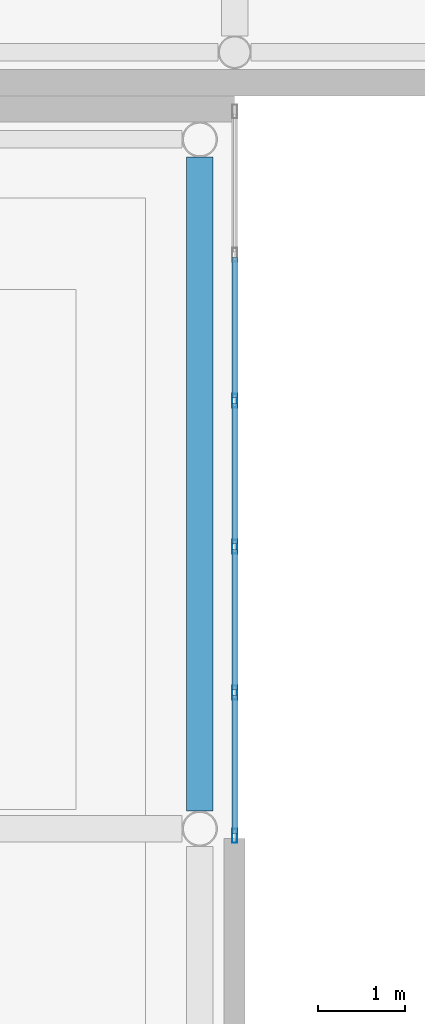
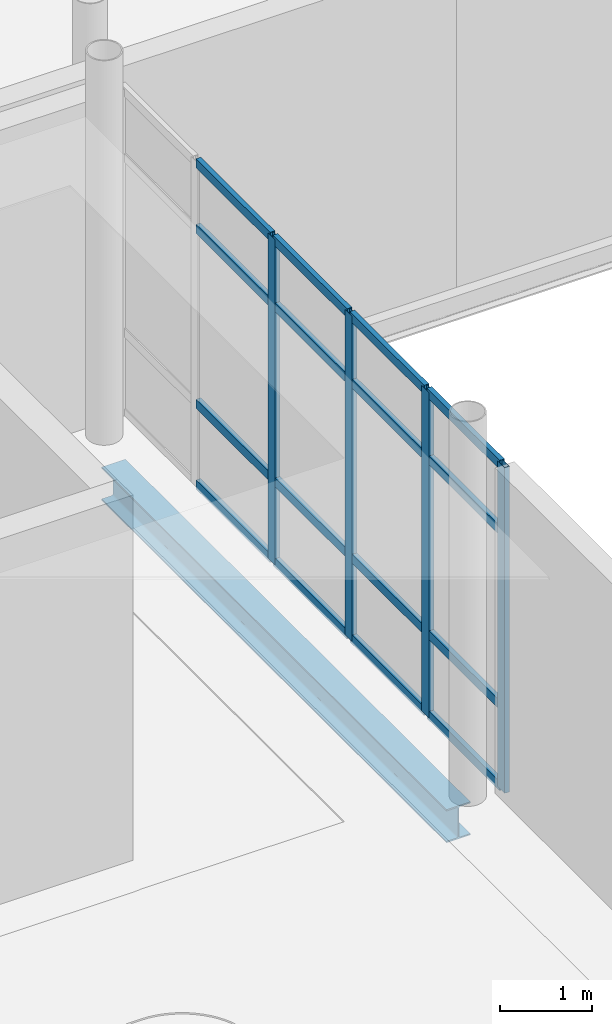
# One storey, part 42 of 103: 20 members, 1 beam, 1 element without a shape of its own.
"""IFC4 building model written with IfcOpenShell, lengths in metres."""

from ifc_helpers import new_model, si_unit, direction, frame, origin, origin_2d, place, context, subcontext, project, spatial, hollow_rectangle, i_section, extrude, material, layer, layer_set, material_profile, profile_set, type_object, element, aggregate, save


model = new_model("IFC4")

# Units and contexts
model_context = context("Model", 3, precision=1e-05, world=origin(), true_north=direction((0.0, 1.0)))
body_context = subcontext(model_context, "Body", "Model", "MODEL_VIEW")
ifc_project = project(units=[si_unit("LENGTHUNIT", "METRE"), si_unit("AREAUNIT", "SQUARE_METRE"), si_unit("VOLUMEUNIT", "CUBIC_METRE"), si_unit("PLANEANGLEUNIT", "RADIAN"), si_unit("MASSUNIT", "GRAM", prefix="KILO"), si_unit("THERMODYNAMICTEMPERATUREUNIT", "KELVIN")], contexts=[model_context])

# Site, building, storey
site_placement = place(None, origin())
site = spatial("IfcSite", under=ifc_project, at=site_placement, CompositionType="ELEMENT")
building_placement = place(site_placement, origin())
building = spatial("IfcBuilding", under=site, at=building_placement, Name="Lustrewick Department Store", CompositionType="ELEMENT")
storey_placement = place(building_placement, frame((0.0, 0.0, 16.5)))
storey = spatial("IfcBuildingStorey", under=building, at=storey_placement, Name="L04", CompositionType="ELEMENT", Elevation=16.5)

# Curtain wall, members
ifc_material_1 = material(Name="Thermally broken aluminium 6063-T5", Category="aluminium")
ifc_layer = layer(ifc_material_1, 0.159912109375, Name="Thermally broken aluminium 6063-T5")
ifc_layer_set = layer_set([ifc_layer], Name="Thermally broken aluminium 6063-T5")
curtain_wall_type = type_object("IfcCurtainWallType", Name="CW13", PredefinedType="NOTDEFINED", material=ifc_layer_set)
curtain_wall_placement = place(storey_placement, origin())
curtain_wall = element("IfcCurtainWall", 1, at=curtain_wall_placement, inside=storey, type_object=curtain_wall_type, Name="L04 V3 Curtain Wall CW13", PredefinedType="NOTDEFINED")
ifc_material_profile_1 = material_profile(ifc_material_1, hollow_rectangle(XDim=0.06005859375, YDim=0.159912109375, WallThickness=0.00390625, at=origin_2d()), Name="ALU-M 60x160x4")
ifc_profile_set_1 = profile_set([ifc_material_profile_1], Name="Thermally broken aluminium 6063-T5")
member_type_1 = type_object("IfcMemberType", Name="CW13-M1", PredefinedType="MULLION", material=ifc_profile_set_1)
member_1_placement = place(storey_placement, frame((151.199951171875, 41.91748046875, 0.0), z_axis=(0.0, 0.0, 1.0), x_axis=(-1.0, 0.0, 0.0)))
member_1 = element("IfcMember", 2, at=member_1_placement, type_object=member_type_1, Name="CW13 mullion 1", PredefinedType="MULLION", context=body_context, shape_type="SweptSolid", body=[
    extrude(hollow_rectangle(XDim=0.06005859375, YDim=0.159912109375, WallThickness=0.00390625, at=origin_2d()), origin(), (0.0, 0.0, 1.0), 4.320068359375),
])
member_2_placement = place(storey_placement, frame((151.199951171875, 43.56005859375, 0.0), z_axis=(0.0, 0.0, 1.0), x_axis=(-1.0, 0.0, 0.0)))
member_2 = element("IfcMember", 3, at=member_2_placement, type_object=member_type_1, Name="CW13 mullion 2", PredefinedType="MULLION", context=body_context, shape_type="SweptSolid", body=[
    extrude(hollow_rectangle(XDim=0.06005859375, YDim=0.159912109375, WallThickness=0.00390625, at=origin_2d()), origin(), (0.0, 0.0, 1.0), 4.320068359375),
])
member_3_placement = place(storey_placement, frame((151.199951171875, 45.232421875, 0.0), z_axis=(0.0, 0.0, 1.0), x_axis=(-1.0, 0.0, 0.0)))
member_3 = element("IfcMember", 4, at=member_3_placement, type_object=member_type_1, Name="CW13 mullion 3", PredefinedType="MULLION", context=body_context, shape_type="SweptSolid", body=[
    extrude(hollow_rectangle(XDim=0.06005859375, YDim=0.159912109375, WallThickness=0.00390625, at=origin_2d()), origin(), (0.0, 0.0, 1.0), 4.320068359375),
])
member_4_placement = place(storey_placement, frame((151.199951171875, 46.905029296875, 0.0), z_axis=(0.0, 0.0, 1.0), x_axis=(-1.0, 0.0, 0.0)))
member_4 = element("IfcMember", 5, at=member_4_placement, type_object=member_type_1, Name="CW13 mullion 4", PredefinedType="MULLION", context=body_context, shape_type="SweptSolid", body=[
    extrude(hollow_rectangle(XDim=0.06005859375, YDim=0.159912109375, WallThickness=0.00390625, at=origin_2d()), origin(), (0.0, 0.0, 1.0), 4.320068359375),
])
ifc_material_profile_2 = material_profile(ifc_material_1, hollow_rectangle(XDim=0.06005859375, YDim=0.1201171875, WallThickness=0.00341796875, at=origin_2d()), Name="ALU-T 60x120x3.5")
ifc_profile_set_2 = profile_set([ifc_material_profile_2], Name="Thermally broken aluminium 6063-T5")
member_type_2 = type_object("IfcMemberType", Name="CW13-T1", PredefinedType="USERDEFINED", material=ifc_profile_set_2)
member_5_placement = place(storey_placement, frame((151.199951171875, 41.947509765625, 0.030029296875), z_axis=(0.0, 1.0, 0.0), x_axis=(-1.0, 0.0, 0.0)))
member_5 = element("IfcMember", 6, at=member_5_placement, type_object=member_type_2, Name="CW13 transom 1.1", ObjectType="TRANSOM", PredefinedType="USERDEFINED", context=body_context, shape_type="SweptSolid", body=[
    extrude(hollow_rectangle(XDim=0.06005859375, YDim=0.1201171875, WallThickness=0.00341796875, at=origin_2d()), origin(), (0.0, 0.0, 1.0), 1.58251953125),
])
member_6_placement = place(storey_placement, frame((151.199951171875, 41.947509765625, 1.10009765625), z_axis=(0.0, 1.0, 0.0), x_axis=(-1.0, 0.0, 0.0)))
member_6 = element("IfcMember", 7, at=member_6_placement, type_object=member_type_2, Name="CW13 transom 1.2", ObjectType="TRANSOM", PredefinedType="USERDEFINED", context=body_context, shape_type="SweptSolid", body=[
    extrude(hollow_rectangle(XDim=0.06005859375, YDim=0.1201171875, WallThickness=0.00341796875, at=origin_2d()), origin(), (0.0, 0.0, 1.0), 1.58251953125),
])
member_7_placement = place(storey_placement, frame((151.199951171875, 41.947509765625, 3.419921875), z_axis=(0.0, 1.0, 0.0), x_axis=(-1.0, 0.0, 0.0)))
member_7 = element("IfcMember", 8, at=member_7_placement, type_object=member_type_2, Name="CW13 transom 1.3", ObjectType="TRANSOM", PredefinedType="USERDEFINED", context=body_context, shape_type="SweptSolid", body=[
    extrude(hollow_rectangle(XDim=0.06005859375, YDim=0.1201171875, WallThickness=0.00341796875, at=origin_2d()), origin(), (0.0, 0.0, 1.0), 1.58251953125),
])
member_8_placement = place(storey_placement, frame((151.199951171875, 41.947509765625, 4.2900390625), z_axis=(0.0, 1.0, 0.0), x_axis=(-1.0, 0.0, 0.0)))
member_8 = element("IfcMember", 9, at=member_8_placement, type_object=member_type_2, Name="CW13 transom 1.4", ObjectType="TRANSOM", PredefinedType="USERDEFINED", context=body_context, shape_type="SweptSolid", body=[
    extrude(hollow_rectangle(XDim=0.06005859375, YDim=0.1201171875, WallThickness=0.00341796875, at=origin_2d()), origin(), (0.0, 0.0, 1.0), 1.58251953125),
])
member_9_placement = place(storey_placement, frame((151.199951171875, 43.590087890625, 0.030029296875), z_axis=(0.0, 1.0, 0.0), x_axis=(-1.0, 0.0, 0.0)))
member_9 = element("IfcMember", 10, at=member_9_placement, type_object=member_type_2, Name="CW13 transom 2.1", ObjectType="TRANSOM", PredefinedType="USERDEFINED", context=body_context, shape_type="SweptSolid", body=[
    extrude(hollow_rectangle(XDim=0.06005859375, YDim=0.1201171875, WallThickness=0.00341796875, at=origin_2d()), origin(), (0.0, 0.0, 1.0), 1.6123046875),
])
member_10_placement = place(storey_placement, frame((151.199951171875, 43.590087890625, 1.10009765625), z_axis=(0.0, 1.0, 0.0), x_axis=(-1.0, 0.0, 0.0)))
member_10 = element("IfcMember", 11, at=member_10_placement, type_object=member_type_2, Name="CW13 transom 2.2", ObjectType="TRANSOM", PredefinedType="USERDEFINED", context=body_context, shape_type="SweptSolid", body=[
    extrude(hollow_rectangle(XDim=0.06005859375, YDim=0.1201171875, WallThickness=0.00341796875, at=origin_2d()), origin(), (0.0, 0.0, 1.0), 1.6123046875),
])
member_11_placement = place(storey_placement, frame((151.199951171875, 43.590087890625, 3.419921875), z_axis=(0.0, 1.0, 0.0), x_axis=(-1.0, 0.0, 0.0)))
member_11 = element("IfcMember", 12, at=member_11_placement, type_object=member_type_2, Name="CW13 transom 2.3", ObjectType="TRANSOM", PredefinedType="USERDEFINED", context=body_context, shape_type="SweptSolid", body=[
    extrude(hollow_rectangle(XDim=0.06005859375, YDim=0.1201171875, WallThickness=0.00341796875, at=origin_2d()), origin(), (0.0, 0.0, 1.0), 1.6123046875),
])
member_12_placement = place(storey_placement, frame((151.199951171875, 43.590087890625, 4.2900390625), z_axis=(0.0, 1.0, 0.0), x_axis=(-1.0, 0.0, 0.0)))
member_12 = element("IfcMember", 13, at=member_12_placement, type_object=member_type_2, Name="CW13 transom 2.4", ObjectType="TRANSOM", PredefinedType="USERDEFINED", context=body_context, shape_type="SweptSolid", body=[
    extrude(hollow_rectangle(XDim=0.06005859375, YDim=0.1201171875, WallThickness=0.00341796875, at=origin_2d()), origin(), (0.0, 0.0, 1.0), 1.6123046875),
])
member_13_placement = place(storey_placement, frame((151.199951171875, 45.262451171875, 0.030029296875), z_axis=(0.0, 1.0, 0.0), x_axis=(-1.0, 0.0, 0.0)))
member_13 = element("IfcMember", 14, at=member_13_placement, type_object=member_type_2, Name="CW13 transom 3.1", ObjectType="TRANSOM", PredefinedType="USERDEFINED", context=body_context, shape_type="SweptSolid", body=[
    extrude(hollow_rectangle(XDim=0.06005859375, YDim=0.1201171875, WallThickness=0.00341796875, at=origin_2d()), origin(), (0.0, 0.0, 1.0), 1.612548828125),
])
member_14_placement = place(storey_placement, frame((151.199951171875, 45.262451171875, 1.10009765625), z_axis=(0.0, 1.0, 0.0), x_axis=(-1.0, 0.0, 0.0)))
member_14 = element("IfcMember", 15, at=member_14_placement, type_object=member_type_2, Name="CW13 transom 3.2", ObjectType="TRANSOM", PredefinedType="USERDEFINED", context=body_context, shape_type="SweptSolid", body=[
    extrude(hollow_rectangle(XDim=0.06005859375, YDim=0.1201171875, WallThickness=0.00341796875, at=origin_2d()), origin(), (0.0, 0.0, 1.0), 1.612548828125),
])
member_15_placement = place(storey_placement, frame((151.199951171875, 45.262451171875, 3.419921875), z_axis=(0.0, 1.0, 0.0), x_axis=(-1.0, 0.0, 0.0)))
member_15 = element("IfcMember", 16, at=member_15_placement, type_object=member_type_2, Name="CW13 transom 3.3", ObjectType="TRANSOM", PredefinedType="USERDEFINED", context=body_context, shape_type="SweptSolid", body=[
    extrude(hollow_rectangle(XDim=0.06005859375, YDim=0.1201171875, WallThickness=0.00341796875, at=origin_2d()), origin(), (0.0, 0.0, 1.0), 1.612548828125),
])
member_16_placement = place(storey_placement, frame((151.199951171875, 45.262451171875, 4.2900390625), z_axis=(0.0, 1.0, 0.0), x_axis=(-1.0, 0.0, 0.0)))
member_16 = element("IfcMember", 17, at=member_16_placement, type_object=member_type_2, Name="CW13 transom 3.4", ObjectType="TRANSOM", PredefinedType="USERDEFINED", context=body_context, shape_type="SweptSolid", body=[
    extrude(hollow_rectangle(XDim=0.06005859375, YDim=0.1201171875, WallThickness=0.00341796875, at=origin_2d()), origin(), (0.0, 0.0, 1.0), 1.612548828125),
])
member_17_placement = place(storey_placement, frame((151.199951171875, 46.93505859375, 0.030029296875), z_axis=(0.0, 1.0, 0.0), x_axis=(-1.0, 0.0, 0.0)))
member_17 = element("IfcMember", 18, at=member_17_placement, type_object=member_type_2, Name="CW13 transom 4.1", ObjectType="TRANSOM", PredefinedType="USERDEFINED", context=body_context, shape_type="SweptSolid", body=[
    extrude(hollow_rectangle(XDim=0.06005859375, YDim=0.1201171875, WallThickness=0.00341796875, at=origin_2d()), origin(), (0.0, 0.0, 1.0), 1.612548828125),
])
member_18_placement = place(storey_placement, frame((151.199951171875, 46.93505859375, 1.10009765625), z_axis=(0.0, 1.0, 0.0), x_axis=(-1.0, 0.0, 0.0)))
member_18 = element("IfcMember", 19, at=member_18_placement, type_object=member_type_2, Name="CW13 transom 4.2", ObjectType="TRANSOM", PredefinedType="USERDEFINED", context=body_context, shape_type="SweptSolid", body=[
    extrude(hollow_rectangle(XDim=0.06005859375, YDim=0.1201171875, WallThickness=0.00341796875, at=origin_2d()), origin(), (0.0, 0.0, 1.0), 1.612548828125),
])
member_19_placement = place(storey_placement, frame((151.199951171875, 46.93505859375, 3.419921875), z_axis=(0.0, 1.0, 0.0), x_axis=(-1.0, 0.0, 0.0)))
member_19 = element("IfcMember", 20, at=member_19_placement, type_object=member_type_2, Name="CW13 transom 4.3", ObjectType="TRANSOM", PredefinedType="USERDEFINED", context=body_context, shape_type="SweptSolid", body=[
    extrude(hollow_rectangle(XDim=0.06005859375, YDim=0.1201171875, WallThickness=0.00341796875, at=origin_2d()), origin(), (0.0, 0.0, 1.0), 1.612548828125),
])
member_20_placement = place(storey_placement, frame((151.199951171875, 46.93505859375, 4.2900390625), z_axis=(0.0, 1.0, 0.0), x_axis=(-1.0, 0.0, 0.0)))
member_20 = element("IfcMember", 21, at=member_20_placement, type_object=member_type_2, Name="CW13 transom 4.4", ObjectType="TRANSOM", PredefinedType="USERDEFINED", context=body_context, shape_type="SweptSolid", body=[
    extrude(hollow_rectangle(XDim=0.06005859375, YDim=0.1201171875, WallThickness=0.00341796875, at=origin_2d()), origin(), (0.0, 0.0, 1.0), 1.612548828125),
])
aggregate(curtain_wall, [member_1, member_2, member_3, member_4, member_5, member_6, member_7, member_8, member_9, member_10, member_11, member_12, member_13, member_14, member_15, member_16, member_17, member_18, member_19, member_20])

# Beam
ifc_material_2 = material(Name="Structural steel Q355B", Category="steel")
ifc_material_profile_3 = material_profile(ifc_material_2, i_section(OverallWidth=0.300048828125, OverallDepth=0.43994140625, WebThickness=0.010986328125, FlangeThickness=0.01806640625, FilletRadius=0.02001953125, at=origin_2d()), Name="HM 440x300x11x18")
ifc_profile_set_3 = profile_set([ifc_material_profile_3], Name="Structural steel Q355B")
beam_type = type_object("IfcBeamType", Name="SP02", PredefinedType="SPANDREL", material=ifc_profile_set_3)
beam_placement = place(storey_placement, frame((150.800048828125, 42.202880859375, -0.47509765625), z_axis=(0.0, 1.0, 0.0), x_axis=(-1.0, 0.0, 0.0)))
element("IfcBeam", 22, at=beam_placement, inside=storey, type_object=beam_type, Name="L04 V3 Girder SP02", PredefinedType="SPANDREL", context=body_context, shape_type="SweptSolid", body=[
    extrude(i_section(OverallWidth=0.300048828125, OverallDepth=0.43994140625, WebThickness=0.010986328125, FlangeThickness=0.01806640625, FilletRadius=0.02001953125, at=origin_2d()), origin(), (0.0, 0.0, 1.0), 7.494140625),
])

save(model, "model.ifc")
